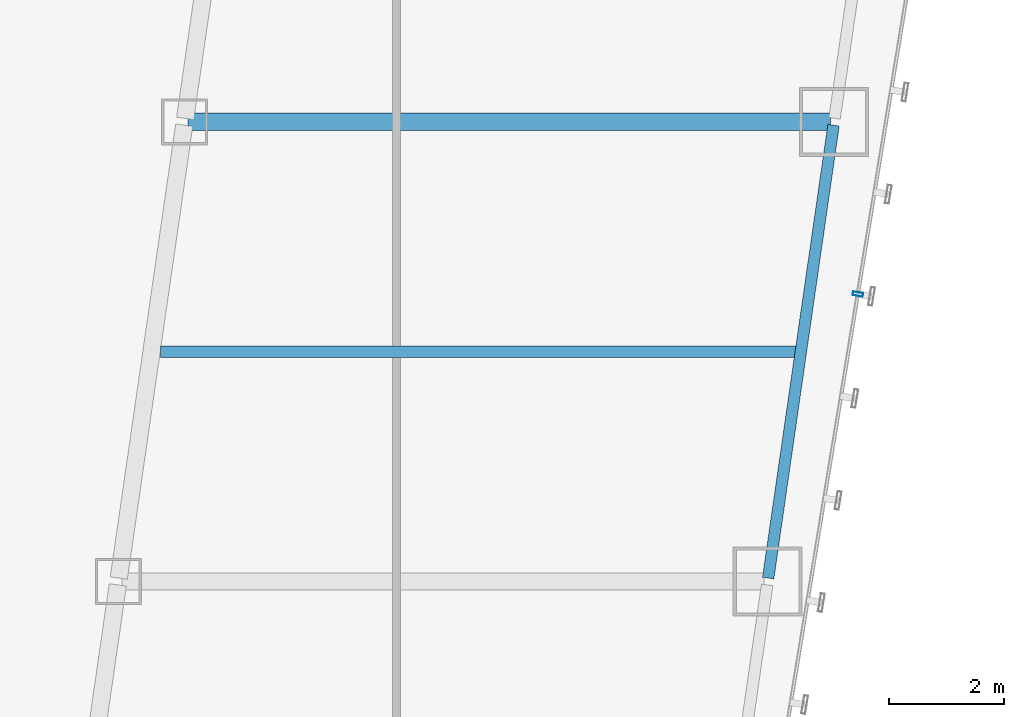
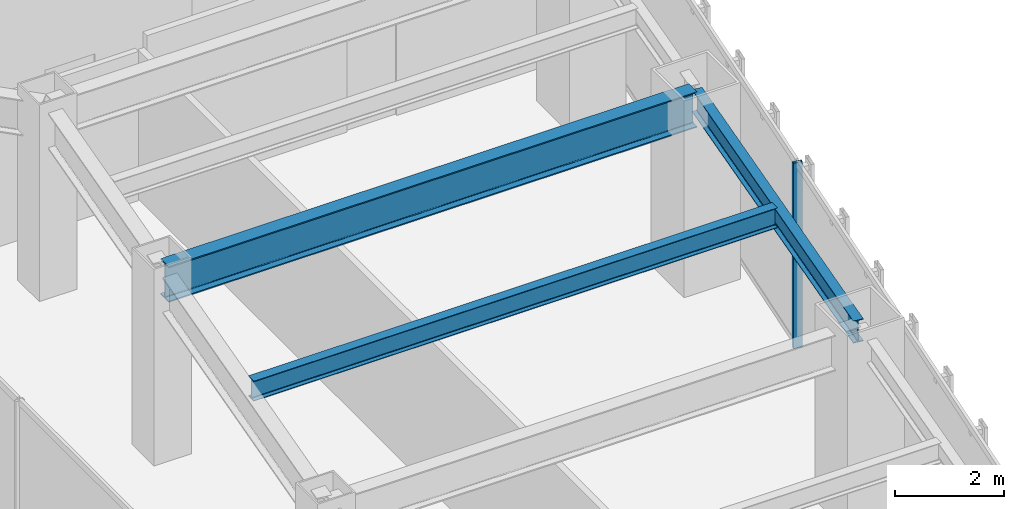
# One storey, part 21 of 47: 3 beams, 1 member, 1 element without a shape of its own.
"""IFC4 building model written with IfcOpenShell, lengths in metres."""

from ifc_helpers import new_model, si_unit, direction, frame, origin, origin_2d, place, context, subcontext, project, spatial, hollow_rectangle, i_section, extrude, material, material_profile, profile_set, type_object, element, aggregate, save


model = new_model("IFC4")

# Units and contexts
model_context = context("Model", 3, precision=1e-05, world=origin(), true_north=direction((0.0, 1.0)))
body_context = subcontext(model_context, "Body", "Model", "MODEL_VIEW")
ifc_project = project(units=[si_unit("LENGTHUNIT", "METRE"), si_unit("AREAUNIT", "SQUARE_METRE"), si_unit("VOLUMEUNIT", "CUBIC_METRE"), si_unit("PLANEANGLEUNIT", "RADIAN"), si_unit("MASSUNIT", "GRAM", prefix="KILO")], contexts=[model_context])

# Site, building, storey
site_placement = place(None, origin())
site = spatial("IfcSite", under=ifc_project, at=site_placement, CompositionType="ELEMENT")
building_placement = place(site_placement, origin())
building = spatial("IfcBuilding", under=site, at=building_placement, Name="Saevonmaru Cultural Tower", CompositionType="ELEMENT")
storey_placement = place(building_placement, frame((0.0, 0.0, 42.800048828125)))
storey = spatial("IfcBuildingStorey", under=building, at=storey_placement, Name="L08", CompositionType="ELEMENT", Elevation=42.800048828125)

# Beams
ifc_material_1 = material(Name="Steel SM420", Category="steel")
ifc_material_profile_1 = material_profile(ifc_material_1, i_section(OverallWidth=0.300048828125, OverallDepth=0.800048828125, WebThickness=0.013916015625, FlangeThickness=0.02587890625, FilletRadius=0.028076171875, at=origin_2d()), Name="H-800x300x14x26")
ifc_profile_set_1 = profile_set([ifc_material_profile_1], Name="Steel SM420")
beam_type_1 = type_object("IfcBeamType", Name="BM-G-H800", PredefinedType="BEAM", material=ifc_profile_set_1)
beam_1_placement = place(storey_placement, frame((40.443115234375, 32.0, 3.75), z_axis=(1.0, 0.0, 0.0), x_axis=(0.0, 1.0, 0.0)))
element("IfcBeam", 1, at=beam_1_placement, inside=storey, type_object=beam_type_1, Name="L08 East Wing Transverse Girder 5", PredefinedType="BEAM", context=body_context, shape_type="SweptSolid", body=[
    extrude(i_section(OverallWidth=0.300048828125, OverallDepth=0.800048828125, WebThickness=0.013916015625, FlangeThickness=0.02587890625, FilletRadius=0.028076171875, at=origin_2d()), origin(), (0.0, 0.0, 1.0), 11.179931640625),
])
ifc_material_2 = material(Name="Steel SM355", Category="steel")
ifc_material_profile_2 = material_profile(ifc_material_2, i_section(OverallWidth=0.199951171875, OverallDepth=0.449951171875, WebThickness=0.009033203125, FlangeThickness=0.013916015625, FilletRadius=0.01806640625, at=origin_2d()), Name="H-450x200x9x14")
ifc_profile_set_2 = profile_set([ifc_material_profile_2], Name="Steel SM355")
beam_type_2 = type_object("IfcBeamType", Name="BM-J-H450", PredefinedType="JOIST", material=ifc_profile_set_2)
beam_2_placement = place(storey_placement, frame((39.96337890625, 28.0, 3.925048828125), z_axis=(1.0, 0.0, 0.0), x_axis=(0.0, 1.0, 0.0)))
element("IfcBeam", 2, at=beam_2_placement, inside=storey, type_object=beam_type_2, Name="L08 East Wing Floor Joist 4", PredefinedType="JOIST", context=body_context, shape_type="SweptSolid", body=[
    extrude(i_section(OverallWidth=0.199951171875, OverallDepth=0.449951171875, WebThickness=0.009033203125, FlangeThickness=0.013916015625, FilletRadius=0.01806640625, at=origin_2d()), origin(), (0.0, 0.0, 1.0), 11.08203125),
])
ifc_material_profile_3 = material_profile(ifc_material_2, i_section(OverallWidth=0.199951171875, OverallDepth=0.5, WebThickness=0.010009765625, FlangeThickness=0.01611328125, FilletRadius=0.02001953125, at=origin_2d()), Name="H-500x200x10x16")
ifc_profile_set_3 = profile_set([ifc_material_profile_3], Name="Steel SM355")
beam_type_3 = type_object("IfcBeamType", Name="BM-SP-H500", PredefinedType="SPANDREL", material=ifc_profile_set_3)
beam_3_placement = place(storey_placement, frame((50.53662109375, 24.059326171875, 3.89990234375), z_axis=(0.142871999001, 0.989741174197, 0.0), x_axis=(-0.989741174197, 0.142871999001, 0.0)))
element("IfcBeam", 3, at=beam_3_placement, inside=storey, type_object=beam_type_3, Name="L08 East Splayed Spandrel 4", PredefinedType="SPANDREL", context=body_context, shape_type="SweptSolid", body=[
    extrude(i_section(OverallWidth=0.199951171875, OverallDepth=0.5, WebThickness=0.010009765625, FlangeThickness=0.01611328125, FilletRadius=0.02001953125, at=origin_2d()), origin(), (0.0, 0.0, 1.0), 7.963134765625),
])

# Curtain wall, member
ifc_material_3 = material(Name="Satin Bronze Anodised Aluminium", Category="aluminium")
curtain_wall_type = type_object("IfcCurtainWallType", Name="CW-TYP-A", PredefinedType="NOTDEFINED", material=ifc_material_3)
curtain_wall_placement = place(storey_placement, origin())
curtain_wall = element("IfcCurtainWall", 4, at=curtain_wall_placement, inside=storey, type_object=curtain_wall_type, Name="L08 Unitised Curtain Wall E8", PredefinedType="NOTDEFINED")
ifc_material_profile_4 = material_profile(ifc_material_3, hollow_rectangle(XDim=0.06494140625, YDim=0.179931640625, WallThickness=0.00390625, at=origin_2d()), Name="ALU-MULL-180x65x4")
ifc_profile_set_4 = profile_set([ifc_material_profile_4], Name="Satin Bronze Anodised Aluminium")
member_type = type_object("IfcMemberType", Name="ML-CW-180x65", PredefinedType="MULLION", material=ifc_profile_set_4)
member_placement = place(storey_placement, frame((52.10009765625, 29.0, 0.0), z_axis=(0.0, 0.0, 1.0), x_axis=(0.161708868641, 0.986838508472, 0.0)))
member = element("IfcMember", 5, at=member_placement, type_object=member_type, Name="CW-TW-L08-E8 mullion 3", PredefinedType="MULLION", context=body_context, shape_type="SweptSolid", body=[
    extrude(hollow_rectangle(XDim=0.06494140625, YDim=0.179931640625, WallThickness=0.00390625, at=origin_2d()), origin(), (0.0, 0.0, 1.0), 4.14990234375),
])
aggregate(curtain_wall, [member])

save(model, "model.ifc")
